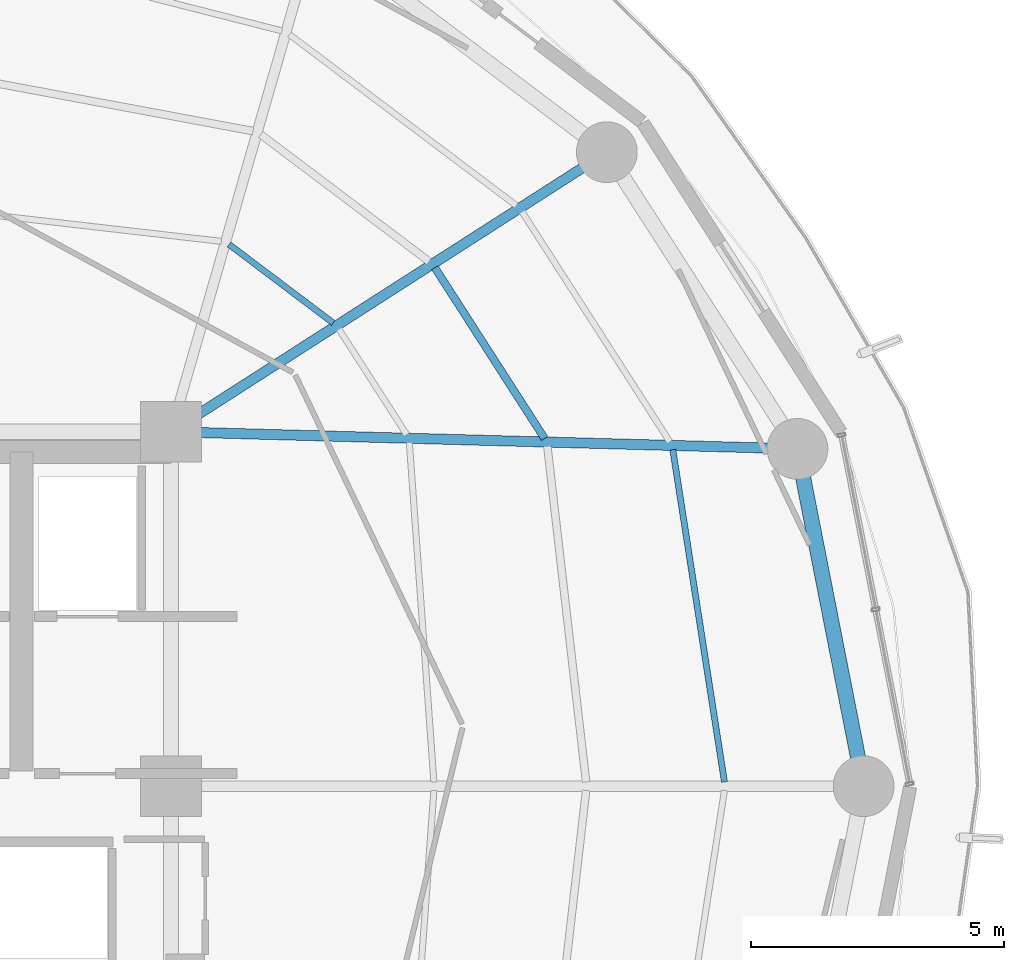
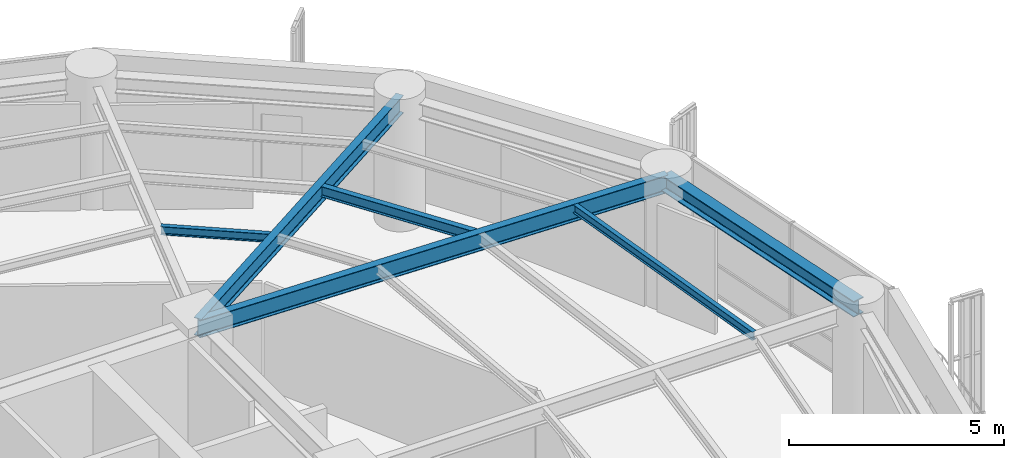
# One storey, part 14 of 29: 6 beams.
"""IFC4 building model written with IfcOpenShell, lengths in metres."""

from ifc_helpers import new_model, si_unit, direction, frame, origin, origin_2d, place, context, subcontext, project, spatial, i_section, extrude, material, material_profile, profile_set, type_object, element, save


model = new_model("IFC4")

# Units and contexts
model_context = context("Model", 3, precision=1e-05, world=origin(), true_north=direction((0.0, 1.0)))
body_context = subcontext(model_context, "Body", "Model", "MODEL_VIEW")
ifc_project = project(units=[si_unit("LENGTHUNIT", "METRE"), si_unit("AREAUNIT", "SQUARE_METRE"), si_unit("VOLUMEUNIT", "CUBIC_METRE"), si_unit("PLANEANGLEUNIT", "RADIAN"), si_unit("MASSUNIT", "GRAM", prefix="KILO")], contexts=[model_context])

# Site, building, storey
site_placement = place(None, origin())
site = spatial("IfcSite", under=ifc_project, at=site_placement, CompositionType="ELEMENT")
building_placement = place(site_placement, origin())
building = spatial("IfcBuilding", under=site, at=building_placement, Name="Kelanora Arch Commons", CompositionType="ELEMENT")
storey_placement = place(building_placement, frame((0.0, 0.0, 135.60009765625)))
storey = spatial("IfcBuildingStorey", under=building, at=storey_placement, Name="L34", CompositionType="ELEMENT", Elevation=135.60009765625)

# Beams
ifc_material = material(Name="Steel S355", Category="steel")
ifc_material_profile_1 = material_profile(ifc_material, i_section(OverallWidth=0.14990234375, OverallDepth=0.300048828125, WebThickness=0.007080078125, FlangeThickness=0.0107421875, FilletRadius=0.014892578125, at=origin_2d()), Name="IPE300")
ifc_profile_set_1 = profile_set([ifc_material_profile_1], Name="Steel S355")
beam_type_1 = type_object("IfcBeamType", Name="BM-JST-01", PredefinedType="JOIST", material=ifc_profile_set_1)
beam_1_placement = place(storey_placement, frame((89.377685546875, 64.869140625, 3.33984375), z_axis=(-0.540594434398, 0.841283339606, 0.0), x_axis=(-0.841283339606, -0.540594434398, 0.0)))
element("IfcBeam", 1, at=beam_1_placement, inside=storey, type_object=beam_type_1, Name="Secondary Chord Joist BJB-02 L34", PredefinedType="JOIST", context=body_context, shape_type="SweptSolid", body=[
    extrude(i_section(OverallWidth=0.14990234375, OverallDepth=0.300048828125, WebThickness=0.007080078125, FlangeThickness=0.0107421875, FilletRadius=0.014892578125, at=origin_2d()), origin(), (0.0, 0.0, 1.0), 4.008544921875),
])
ifc_material_profile_2 = material_profile(ifc_material, i_section(OverallWidth=0.1201171875, OverallDepth=0.239990234375, WebThickness=0.006103515625, FlangeThickness=0.009765625, FilletRadius=0.014892578125, at=origin_2d()), Name="IPE240")
ifc_profile_set_2 = profile_set([ifc_material_profile_2], Name="Steel S355")
beam_type_2 = type_object("IfcBeamType", Name="BM-JST-02", PredefinedType="JOIST", material=ifc_profile_set_2)
beam_2_placement = place(storey_placement, frame((92.930908203125, 58.083984375, 3.369873046875), z_axis=(-0.153562625853, 0.988138917329, 0.0), x_axis=(-0.988138917329, -0.153562625853, 0.0)))
element("IfcBeam", 2, at=beam_2_placement, inside=storey, type_object=beam_type_2, Name="Secondary Chord Joist BJC-00 L34", PredefinedType="JOIST", context=body_context, shape_type="SweptSolid", body=[
    extrude(i_section(OverallWidth=0.1201171875, OverallDepth=0.239990234375, WebThickness=0.006103515625, FlangeThickness=0.009765625, FilletRadius=0.014892578125, at=origin_2d()), origin(), (0.0, 0.0, 1.0), 6.640869140625),
])
beam_3_placement = place(storey_placement, frame((85.203125, 67.1494140625, 3.369873046875), z_axis=(-0.798484118859, 0.602015873487, 0.0), x_axis=(-0.602015873487, -0.798484118859, 0.0)))
element("IfcBeam", 3, at=beam_3_placement, inside=storey, type_object=beam_type_2, Name="Secondary Chord Joist BJA-04 L34", PredefinedType="JOIST", context=body_context, shape_type="SweptSolid", body=[
    extrude(i_section(OverallWidth=0.1201171875, OverallDepth=0.239990234375, WebThickness=0.006103515625, FlangeThickness=0.009765625, FilletRadius=0.014892578125, at=origin_2d()), origin(), (0.0, 0.0, 1.0), 2.57470703125),
])
ifc_material_profile_3 = material_profile(ifc_material, i_section(OverallWidth=0.199951171875, OverallDepth=0.5, WebThickness=0.01025390625, FlangeThickness=0.01611328125, FilletRadius=0.02099609375, at=origin_2d()), Name="IPE500")
ifc_profile_set_3 = profile_set([ifc_material_profile_3], Name="Steel S355")
beam_type_3 = type_object("IfcBeamType", Name="BM-RAD-Z3", PredefinedType="BEAM", material=ifc_profile_set_3)
beam_4_placement = place(storey_placement, frame((82.0, 65.0, 3.239990234375), z_axis=(0.999628374924, -0.027260081577, 0.0), x_axis=(0.027260081577, 0.999628374924, 0.0)))
element("IfcBeam", 4, at=beam_4_placement, inside=storey, type_object=beam_type_3, Name="Radial Floor Girder BR-02 L34", PredefinedType="BEAM", context=body_context, shape_type="SweptSolid", body=[
    extrude(i_section(OverallWidth=0.199951171875, OverallDepth=0.5, WebThickness=0.01025390625, FlangeThickness=0.01611328125, FilletRadius=0.02099609375, at=origin_2d()), origin(), (0.0, 0.0, 1.0), 12.377197265625),
])
beam_5_placement = place(storey_placement, frame((82.0, 65.0, 3.239990234375), z_axis=(0.841719465748, 0.539915123868, 0.0), x_axis=(-0.539915123868, 0.841719465748, 0.0)))
element("IfcBeam", 5, at=beam_5_placement, inside=storey, type_object=beam_type_3, Name="Radial Floor Girder BR-04 L34", PredefinedType="BEAM", context=body_context, shape_type="SweptSolid", body=[
    extrude(i_section(OverallWidth=0.199951171875, OverallDepth=0.5, WebThickness=0.01025390625, FlangeThickness=0.01611328125, FilletRadius=0.02099609375, at=origin_2d()), origin(), (0.0, 0.0, 1.0), 10.2265625),
])
ifc_material_profile_4 = material_profile(ifc_material, i_section(OverallWidth=0.300048828125, OverallDepth=0.449951171875, WebThickness=0.013916015625, FlangeThickness=0.02587890625, FilletRadius=0.027099609375, at=origin_2d()), Name="HEB450")
ifc_profile_set_4 = profile_set([ifc_material_profile_4], Name="Steel S355")
beam_type_4 = type_object("IfcBeamType", Name="BM-SPN-Z3", PredefinedType="SPANDREL", material=ifc_profile_set_4)
beam_6_placement = place(storey_placement, frame((95.679931640625, 58.0, 3.264892578125), z_axis=(-0.192553643556, 0.981286448675, 0.0), x_axis=(-0.981286448675, -0.192553643556, 0.0)))
element("IfcBeam", 6, at=beam_6_placement, inside=storey, type_object=beam_type_4, Name="Perimeter Spandrel Beam BS-00 L34", PredefinedType="SPANDREL", context=body_context, shape_type="SweptSolid", body=[
    extrude(i_section(OverallWidth=0.300048828125, OverallDepth=0.449951171875, WebThickness=0.013916015625, FlangeThickness=0.02587890625, FilletRadius=0.027099609375, at=origin_2d()), origin(), (0.0, 0.0, 1.0), 6.78955078125),
])

save(model, "model.ifc")
